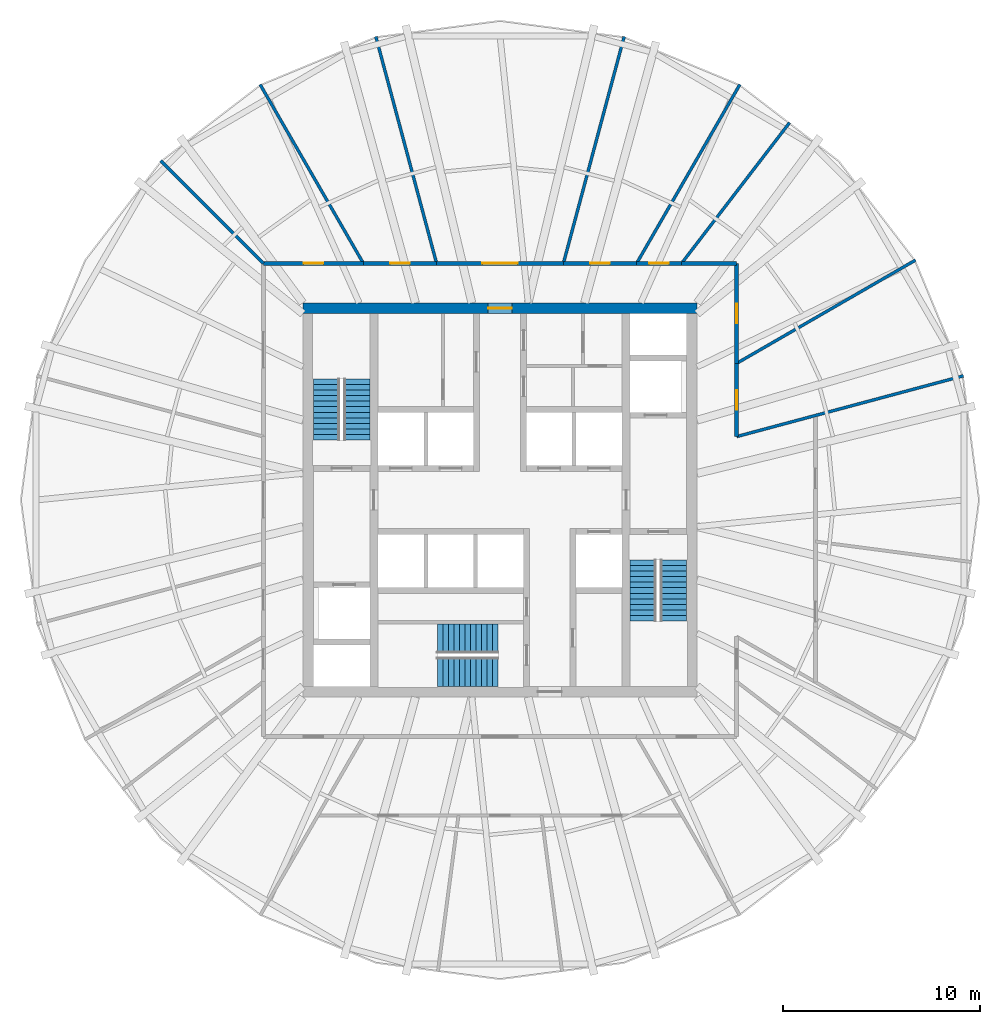
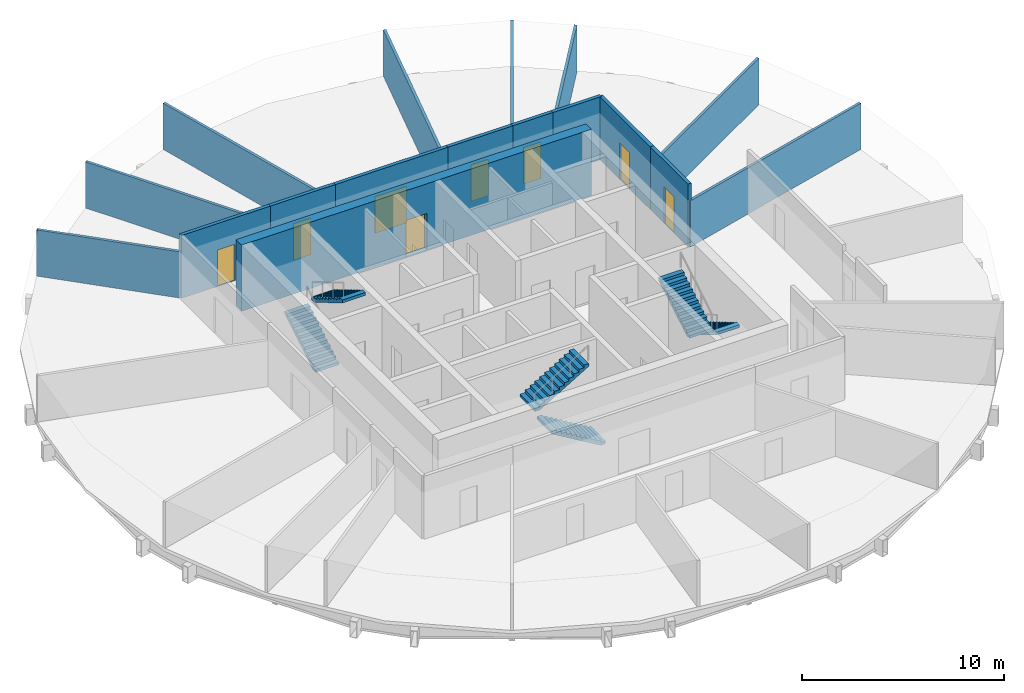
# One storey, part 5 of 6: 17 walls, 8 doors, 6 stair flights, 8 openings, 3 elements without a shape of their own.
"""IFC4 building model written with IfcOpenShell, lengths in metres."""

from ifc_helpers import new_model, si_unit, direction, frame, frame_2d, origin, place, context, subcontext, project, spatial, polyline, rectangle, outline, extrude, material, layer, layer_set, type_object, element, fill, aggregate, save


model = new_model("IFC4")

# Units and contexts
model_context = context("Model", 3, precision=1e-05, world=origin(), true_north=direction((0.0, 1.0)))
body_context = subcontext(model_context, "Body", "Model", "MODEL_VIEW")
ifc_project = project(units=[si_unit("LENGTHUNIT", "METRE"), si_unit("AREAUNIT", "SQUARE_METRE"), si_unit("VOLUMEUNIT", "CUBIC_METRE"), si_unit("PLANEANGLEUNIT", "RADIAN"), si_unit("MASSUNIT", "GRAM", prefix="KILO")], contexts=[model_context])

# Site, building, storey
site_placement = place(None, origin())
site = spatial("IfcSite", under=ifc_project, at=site_placement, CompositionType="ELEMENT")
building_placement = place(site_placement, origin())
building = spatial("IfcBuilding", under=site, at=building_placement, Name="Golbaran Civic Tower", CompositionType="ELEMENT")
storey_placement = place(building_placement, frame((0.0, 0.0, 138.0)))
storey = spatial("IfcBuildingStorey", under=building, at=storey_placement, Name="L33", CompositionType="ELEMENT", Elevation=138.0)

# Wall, opening, door
ifc_material_1 = material(Name="Concrete C50/60", Category="concrete")
ifc_layer_1 = layer(ifc_material_1, 0.550048828125, Name="Concrete C50/60")
ifc_layer_set_1 = layer_set([ifc_layer_1], Name="Concrete C50/60")
wall_type_1 = type_object("IfcWallType", Name="CORE WALL CONCRETE 550", PredefinedType="SOLIDWALL", material=ifc_layer_set_1)
wall_1_placement = place(storey_placement, frame((-10.0, 9.72509765625, 0.0), z_axis=(0.0, 0.0, 1.0), x_axis=(1.0, 0.0, 0.0)))
wall_1 = element("IfcWall", 1, at=wall_1_placement, inside=storey, type_object=wall_type_1, Name="Core wall CN L33", PredefinedType="SOLIDWALL", context=body_context, shape_type="SweptSolid", body=[
    extrude(rectangle(XDim=20.0, YDim=0.550048828125, at=frame_2d((10.0, 0.0))), origin(), (0.0, 0.0, 1.0), 4.0),
])
opening_1_placement = place(wall_1_placement, frame((9.39990234375, 0.0, 0.0)))
opening_1 = element("IfcOpeningElement", 2, at=opening_1_placement, cuts=wall_1, Name="Opening L33.CN", PredefinedType="OPENING", context=body_context, shape_type="SweptSolid", body=[
    extrude(rectangle(XDim=1.199951171875, YDim=2.199951171875, at=frame_2d((0.60009765625, 1.10009765625))), frame((0.0, 0.284912109375, 0.0), z_axis=(0.0, -1.0, 0.0), x_axis=(1.0, 0.0, 0.0)), (0.0, 0.0, 1.0), 0.570068359375),
])
ifc_material_2 = material(Name="Timber door set in steel frame", Category="steel")
door_type_1 = type_object("IfcDoorType", Name="CORE DOOR 1200x2200", OperationType="DOUBLE_DOOR_SINGLE_SWING", PredefinedType="DOOR", material=ifc_material_2)
door_1_placement = place(opening_1_placement, origin())
door_1 = element("IfcDoor", 3, at=door_1_placement, inside=storey, type_object=door_type_1, Name="Core door north", OperationType="DOUBLE_DOOR_SINGLE_SWING", OverallHeight=2.199951171875, OverallWidth=1.199951171875, PredefinedType="DOOR", context=body_context, shape_type="SweptSolid", body=[
    extrude(rectangle(XDim=1.199951171875, YDim=2.199951171875, at=frame_2d((0.60009765625, 1.10009765625))), frame((0.0, 0.02490234375, 0.0), z_axis=(0.0, -1.0, 0.0), x_axis=(1.0, 0.0, 0.0)), (0.0, 0.0, 1.0), 0.050048828125),
])
fill(opening_1, door_1)

ifc_material_3 = material(Name="Gypsum board on steel studs, fire-rated", Category="steel")
ifc_layer_2 = layer(ifc_material_3, 0.199951171875, Name="Gypsum board on steel studs, fire-rated")
ifc_layer_set_2 = layer_set([ifc_layer_2], Name="Gypsum board on steel studs, fire-rated")
wall_type_2 = type_object("IfcWallType", Name="CORRIDOR WALL 200", PredefinedType="PARTITIONING", material=ifc_layer_set_2)
wall_2_placement = place(storey_placement, frame((12.0, 3.21533203125, 0.0), z_axis=(0.0, 0.0, 1.0), x_axis=(0.0, 1.0, 0.0)))
wall_2 = element("IfcWall", 4, at=wall_2_placement, inside=storey, type_object=wall_type_2, Name="Corridor wall L33", PredefinedType="PARTITIONING", context=body_context, shape_type="SweptSolid", body=[
    extrude(rectangle(XDim=3.712890625, YDim=0.199951171875, at=frame_2d((1.8564453125, 0.0))), origin(), (0.0, 0.0, 1.0), 3.800048828125),
])
opening_2_placement = place(wall_2_placement, frame((1.3564453125, 0.0, 0.0)))
opening_2 = element("IfcOpeningElement", 5, at=opening_2_placement, cuts=wall_2, Name="Opening L33.07", PredefinedType="OPENING", context=body_context, shape_type="SweptSolid", body=[
    extrude(rectangle(XDim=1.0, YDim=2.199951171875, at=frame_2d((0.5, 1.10009765625))), frame((0.0, 0.10986328125, 0.0), z_axis=(0.0, -1.0, 0.0), x_axis=(1.0, 0.0, 0.0)), (0.0, 0.0, 1.0), 0.219970703125),
])
door_type_2 = type_object("IfcDoorType", Name="OFFICE DOOR 1000x2200", OperationType="SINGLE_SWING_LEFT", PredefinedType="DOOR", material=ifc_material_2)
door_2_placement = place(opening_2_placement, origin())
door_2 = element("IfcDoor", 6, at=door_2_placement, inside=storey, type_object=door_type_2, Name="Project Room door L33", OperationType="SINGLE_SWING_LEFT", OverallHeight=2.199951171875, OverallWidth=1.0, PredefinedType="DOOR", context=body_context, shape_type="SweptSolid", body=[
    extrude(rectangle(XDim=1.0, YDim=2.199951171875, at=frame_2d((0.5, 1.10009765625))), frame((0.0, 0.02490234375, 0.0), z_axis=(0.0, -1.0, 0.0), x_axis=(1.0, 0.0, 0.0)), (0.0, 0.0, 1.0), 0.050048828125),
])
fill(opening_2, door_2)

wall_3_placement = place(storey_placement, frame((12.0, 6.92822265625, 0.0), z_axis=(0.0, 0.0, 1.0), x_axis=(0.0, 1.0, 0.0)))
wall_3 = element("IfcWall", 7, at=wall_3_placement, inside=storey, type_object=wall_type_2, Name="Corridor wall L33", PredefinedType="PARTITIONING", context=body_context, shape_type="SweptSolid", body=[
    extrude(rectangle(XDim=5.07177734375, YDim=0.199951171875, at=frame_2d((2.535888671875, 0.0))), origin(), (0.0, 0.0, 1.0), 3.800048828125),
])
opening_3_placement = place(wall_3_placement, frame((2.035888671875, 0.0, 0.0)))
opening_3 = element("IfcOpeningElement", 8, at=opening_3_placement, cuts=wall_3, Name="Opening L33.08", PredefinedType="OPENING", context=body_context, shape_type="SweptSolid", body=[
    extrude(rectangle(XDim=1.0, YDim=2.199951171875, at=frame_2d((0.5, 1.10009765625))), frame((0.0, 0.10986328125, 0.0), z_axis=(0.0, -1.0, 0.0), x_axis=(1.0, 0.0, 0.0)), (0.0, 0.0, 1.0), 0.219970703125),
])
door_3_placement = place(opening_3_placement, origin())
door_3 = element("IfcDoor", 9, at=door_3_placement, inside=storey, type_object=door_type_2, Name="Pantry door L33", OperationType="SINGLE_SWING_LEFT", OverallHeight=2.199951171875, OverallWidth=1.0, PredefinedType="DOOR", context=body_context, shape_type="SweptSolid", body=[
    extrude(rectangle(XDim=1.0, YDim=2.199951171875, at=frame_2d((0.5, 1.10009765625))), frame((0.0, 0.02490234375, 0.0), z_axis=(0.0, -1.0, 0.0), x_axis=(1.0, 0.0, 0.0)), (0.0, 0.0, 1.0), 0.050048828125),
])
fill(opening_3, door_3)

# Wall
wall_4_placement = place(storey_placement, frame((12.0, 12.0, 0.0), z_axis=(0.0, 0.0, 1.0), x_axis=(-1.0, 0.0, 0.0)))
element("IfcWall", 10, at=wall_4_placement, inside=storey, type_object=wall_type_2, Name="Corridor wall L33", PredefinedType="PARTITIONING", context=body_context, shape_type="SweptSolid", body=[
    extrude(rectangle(XDim=2.7919921875, YDim=0.199951171875, at=frame_2d((1.39599609375, 0.0))), origin(), (0.0, 0.0, 1.0), 3.800048828125),
])

# Wall, opening, door
wall_5_placement = place(storey_placement, frame((9.2080078125, 12.0, 0.0), z_axis=(0.0, 0.0, 1.0), x_axis=(-1.0, 0.0, 0.0)))
wall_5 = element("IfcWall", 11, at=wall_5_placement, inside=storey, type_object=wall_type_2, Name="Corridor wall L33", PredefinedType="PARTITIONING", context=body_context, shape_type="SweptSolid", body=[
    extrude(rectangle(XDim=2.27978515625, YDim=0.199951171875, at=frame_2d((1.139892578125, 0.0))), origin(), (0.0, 0.0, 1.0), 3.800048828125),
])
opening_4_placement = place(wall_5_placement, frame((0.639892578125, 0.0, 0.0)))
opening_4 = element("IfcOpeningElement", 12, at=opening_4_placement, cuts=wall_5, Name="Opening L33.09", PredefinedType="OPENING", context=body_context, shape_type="SweptSolid", body=[
    extrude(rectangle(XDim=1.0, YDim=2.199951171875, at=frame_2d((0.5, 1.10009765625))), frame((0.0, 0.10986328125, 0.0), z_axis=(0.0, -1.0, 0.0), x_axis=(1.0, 0.0, 0.0)), (0.0, 0.0, 1.0), 0.219970703125),
])
door_4_placement = place(opening_4_placement, origin())
door_4 = element("IfcDoor", 13, at=door_4_placement, inside=storey, type_object=door_type_2, Name="Prayer Room door L33", OperationType="SINGLE_SWING_RIGHT", OverallHeight=2.199951171875, OverallWidth=1.0, PredefinedType="DOOR", context=body_context, shape_type="SweptSolid", body=[
    extrude(rectangle(XDim=1.0, YDim=2.199951171875, at=frame_2d((0.5, 1.10009765625))), frame((0.0, 0.02490234375, 0.0), z_axis=(0.0, -1.0, 0.0), x_axis=(1.0, 0.0, 0.0)), (0.0, 0.0, 1.0), 0.050048828125),
])
fill(opening_4, door_4)

wall_6_placement = place(storey_placement, frame((6.92822265625, 12.0, 0.0), z_axis=(0.0, 0.0, 1.0), x_axis=(-1.0, 0.0, 0.0)))
wall_6 = element("IfcWall", 14, at=wall_6_placement, inside=storey, type_object=wall_type_2, Name="Corridor wall L33", PredefinedType="PARTITIONING", context=body_context, shape_type="SweptSolid", body=[
    extrude(rectangle(XDim=3.712890625, YDim=0.199951171875, at=frame_2d((1.8564453125, 0.0))), origin(), (0.0, 0.0, 1.0), 3.800048828125),
])
opening_5_placement = place(wall_6_placement, frame((1.3564453125, 0.0, 0.0)))
opening_5 = element("IfcOpeningElement", 15, at=opening_5_placement, cuts=wall_6, Name="Opening L33.10", PredefinedType="OPENING", context=body_context, shape_type="SweptSolid", body=[
    extrude(rectangle(XDim=1.0, YDim=2.199951171875, at=frame_2d((0.5, 1.10009765625))), frame((0.0, 0.10986328125, 0.0), z_axis=(0.0, -1.0, 0.0), x_axis=(1.0, 0.0, 0.0)), (0.0, 0.0, 1.0), 0.219970703125),
])
door_5_placement = place(opening_5_placement, origin())
door_5 = element("IfcDoor", 16, at=door_5_placement, inside=storey, type_object=door_type_2, Name="Project Room door L33", OperationType="SINGLE_SWING_RIGHT", OverallHeight=2.199951171875, OverallWidth=1.0, PredefinedType="DOOR", context=body_context, shape_type="SweptSolid", body=[
    extrude(rectangle(XDim=1.0, YDim=2.199951171875, at=frame_2d((0.5, 1.10009765625))), frame((0.0, 0.02490234375, 0.0), z_axis=(0.0, -1.0, 0.0), x_axis=(1.0, 0.0, 0.0)), (0.0, 0.0, 1.0), 0.050048828125),
])
fill(opening_5, door_5)

wall_7_placement = place(storey_placement, frame((3.21533203125, 12.0, 0.0), z_axis=(0.0, 0.0, 1.0), x_axis=(-1.0, 0.0, 0.0)))
wall_7 = element("IfcWall", 17, at=wall_7_placement, inside=storey, type_object=wall_type_2, Name="Corridor wall L33", PredefinedType="PARTITIONING", context=body_context, shape_type="SweptSolid", body=[
    extrude(rectangle(XDim=6.4306640625, YDim=0.199951171875, at=frame_2d((3.21533203125, 0.0))), origin(), (0.0, 0.0, 1.0), 3.800048828125),
])
opening_6_placement = place(wall_7_placement, frame((2.3154296875, 0.0, 0.0)))
opening_6 = element("IfcOpeningElement", 18, at=opening_6_placement, cuts=wall_7, Name="Opening L33.11", PredefinedType="OPENING", context=body_context, shape_type="SweptSolid", body=[
    extrude(rectangle(XDim=1.800048828125, YDim=2.199951171875, at=frame_2d((0.89990234375, 1.10009765625))), frame((0.0, 0.10986328125, 0.0), z_axis=(0.0, -1.0, 0.0), x_axis=(1.0, 0.0, 0.0)), (0.0, 0.0, 1.0), 0.219970703125),
])
door_type_3 = type_object("IfcDoorType", Name="OFFICE DOUBLE DOOR 1800x2200", OperationType="DOUBLE_DOOR_SINGLE_SWING", PredefinedType="DOOR", material=ifc_material_2)
door_6_placement = place(opening_6_placement, origin())
door_6 = element("IfcDoor", 19, at=door_6_placement, inside=storey, type_object=door_type_3, Name="Open Office door L33", OperationType="DOUBLE_DOOR_SINGLE_SWING", OverallHeight=2.199951171875, OverallWidth=1.800048828125, PredefinedType="DOOR", context=body_context, shape_type="SweptSolid", body=[
    extrude(rectangle(XDim=1.800048828125, YDim=2.199951171875, at=frame_2d((0.89990234375, 1.10009765625))), frame((0.0, 0.02490234375, 0.0), z_axis=(0.0, -1.0, 0.0), x_axis=(1.0, 0.0, 0.0)), (0.0, 0.0, 1.0), 0.050048828125),
])
fill(opening_6, door_6)

wall_8_placement = place(storey_placement, frame((-3.21533203125, 12.0, 0.0), z_axis=(0.0, 0.0, 1.0), x_axis=(-1.0, 0.0, 0.0)))
wall_8 = element("IfcWall", 20, at=wall_8_placement, inside=storey, type_object=wall_type_2, Name="Corridor wall L33", PredefinedType="PARTITIONING", context=body_context, shape_type="SweptSolid", body=[
    extrude(rectangle(XDim=3.712890625, YDim=0.199951171875, at=frame_2d((1.8564453125, 0.0))), origin(), (0.0, 0.0, 1.0), 3.800048828125),
])
opening_7_placement = place(wall_8_placement, frame((1.3564453125, 0.0, 0.0)))
opening_7 = element("IfcOpeningElement", 21, at=opening_7_placement, cuts=wall_8, Name="Opening L33.12", PredefinedType="OPENING", context=body_context, shape_type="SweptSolid", body=[
    extrude(rectangle(XDim=1.0, YDim=2.199951171875, at=frame_2d((0.5, 1.10009765625))), frame((0.0, 0.10986328125, 0.0), z_axis=(0.0, -1.0, 0.0), x_axis=(1.0, 0.0, 0.0)), (0.0, 0.0, 1.0), 0.219970703125),
])
door_7_placement = place(opening_7_placement, origin())
door_7 = element("IfcDoor", 22, at=door_7_placement, inside=storey, type_object=door_type_2, Name="Meeting Room door L33", OperationType="SINGLE_SWING_RIGHT", OverallHeight=2.199951171875, OverallWidth=1.0, PredefinedType="DOOR", context=body_context, shape_type="SweptSolid", body=[
    extrude(rectangle(XDim=1.0, YDim=2.199951171875, at=frame_2d((0.5, 1.10009765625))), frame((0.0, 0.02490234375, 0.0), z_axis=(0.0, -1.0, 0.0), x_axis=(1.0, 0.0, 0.0)), (0.0, 0.0, 1.0), 0.050048828125),
])
fill(opening_7, door_7)

wall_9_placement = place(storey_placement, frame((-6.92822265625, 12.0, 0.0), z_axis=(0.0, 0.0, 1.0), x_axis=(-1.0, 0.0, 0.0)))
wall_9 = element("IfcWall", 23, at=wall_9_placement, inside=storey, type_object=wall_type_2, Name="Corridor wall L33", PredefinedType="PARTITIONING", context=body_context, shape_type="SweptSolid", body=[
    extrude(rectangle(XDim=5.07177734375, YDim=0.199951171875, at=frame_2d((2.535888671875, 0.0))), origin(), (0.0, 0.0, 1.0), 3.800048828125),
])
opening_8_placement = place(wall_9_placement, frame((2.035888671875, 0.0, 0.0)))
opening_8 = element("IfcOpeningElement", 24, at=opening_8_placement, cuts=wall_9, Name="Opening L33.13", PredefinedType="OPENING", context=body_context, shape_type="SweptSolid", body=[
    extrude(rectangle(XDim=1.0, YDim=2.199951171875, at=frame_2d((0.5, 1.10009765625))), frame((0.0, 0.10986328125, 0.0), z_axis=(0.0, -1.0, 0.0), x_axis=(1.0, 0.0, 0.0)), (0.0, 0.0, 1.0), 0.219970703125),
])
door_8_placement = place(opening_8_placement, origin())
door_8 = element("IfcDoor", 25, at=door_8_placement, inside=storey, type_object=door_type_2, Name="Prayer Room door L33", OperationType="SINGLE_SWING_RIGHT", OverallHeight=2.199951171875, OverallWidth=1.0, PredefinedType="DOOR", context=body_context, shape_type="SweptSolid", body=[
    extrude(rectangle(XDim=1.0, YDim=2.199951171875, at=frame_2d((0.5, 1.10009765625))), frame((0.0, 0.02490234375, 0.0), z_axis=(0.0, -1.0, 0.0), x_axis=(1.0, 0.0, 0.0)), (0.0, 0.0, 1.0), 0.050048828125),
])
fill(opening_8, door_8)

# Walls
ifc_material_4 = material(Name="Gypsum board on steel studs", Category="steel")
ifc_layer_3 = layer(ifc_material_4, 0.14990234375, Name="Gypsum board on steel studs")
ifc_layer_set_3 = layer_set([ifc_layer_3], Name="Gypsum board on steel studs")
wall_type_3 = type_object("IfcWallType", Name="OFFICE PARTITION 150", PredefinedType="PARTITIONING", material=ifc_layer_set_3)
wall_10_placement = place(storey_placement, frame((12.0, 3.21533203125, 0.0), z_axis=(0.0, 0.0, 1.0), x_axis=(0.965926367889, 0.258817023816, 0.0)))
element("IfcWall", 26, at=wall_10_placement, inside=storey, type_object=wall_type_3, Name="Partition 15 L33", PredefinedType="PARTITIONING", context=body_context, shape_type="SweptSolid", body=[
    extrude(rectangle(XDim=11.910888671875, YDim=0.14990234375, at=frame_2d((5.95556640625, 0.0))), origin(), (0.0, 0.0, 1.0), 2.7900390625),
])
wall_11_placement = place(storey_placement, frame((12.0, 6.92822265625, 0.0), z_axis=(0.0, 0.0, 1.0), x_axis=(0.866029212144, 0.49999340367, 0.0)))
element("IfcWall", 27, at=wall_11_placement, inside=storey, type_object=wall_type_3, Name="Partition 30 L33", PredefinedType="PARTITIONING", context=body_context, shape_type="SweptSolid", body=[
    extrude(rectangle(XDim=10.477783203125, YDim=0.14990234375, at=frame_2d((5.23876953125, 0.0))), origin(), (0.0, 0.0, 1.0), 2.7900390625),
])
wall_12_placement = place(storey_placement, frame((9.2080078125, 12.0, 0.0), z_axis=(0.0, 0.0, 1.0), x_axis=(0.608761217002, 0.79335350297, 0.0)))
element("IfcWall", 28, at=wall_12_placement, inside=storey, type_object=wall_type_3, Name="Partition 52.5 L33", PredefinedType="PARTITIONING", context=body_context, shape_type="SweptSolid", body=[
    extrude(rectangle(XDim=9.000244140625, YDim=0.14990234375, at=frame_2d((4.5, 0.0))), origin(), (0.0, 0.0, 1.0), 2.7900390625),
])
wall_13_placement = place(storey_placement, frame((6.92822265625, 12.0, 0.0), z_axis=(0.0, 0.0, 1.0), x_axis=(0.49999340367, 0.866029212144, 0.0)))
element("IfcWall", 29, at=wall_13_placement, inside=storey, type_object=wall_type_3, Name="Partition 60 L33", PredefinedType="PARTITIONING", context=body_context, shape_type="SweptSolid", body=[
    extrude(rectangle(XDim=10.477783203125, YDim=0.14990234375, at=frame_2d((5.23876953125, 0.0))), origin(), (0.0, 0.0, 1.0), 2.7900390625),
])
for number, where, z_axis, x_axis, name in (
    (30, (3.21533203125, 12.0, 0.0), (0.0, 0.0, 1.0), (0.258817023816, 0.965926367889, 0.0), "Partition 75 L33"),
    (31, (-3.21533203125, 12.0, 0.0), (0.0, 0.0, 1.0), (-0.258817023816, 0.965926367889, 0.0), "Partition 105 L33"),
):
    element("IfcWall", number, at=place(storey_placement, frame(where, z_axis=z_axis, x_axis=x_axis)), inside=storey, type_object=wall_type_3, Name=name, PredefinedType="PARTITIONING", context=body_context, shape_type="SweptSolid", body=[
        extrude(rectangle(XDim=11.910888671875, YDim=0.14990234375, at=frame_2d((5.95556640625, 0.0))), origin(), (0.0, 0.0, 1.0), 2.7900390625),
    ])
wall_14_placement = place(storey_placement, frame((-6.92822265625, 12.0, 0.0), z_axis=(0.0, 0.0, 1.0), x_axis=(-0.49999340367, 0.866029212144, 0.0)))
element("IfcWall", 32, at=wall_14_placement, inside=storey, type_object=wall_type_3, Name="Partition 120 L33", PredefinedType="PARTITIONING", context=body_context, shape_type="SweptSolid", body=[
    extrude(rectangle(XDim=10.477783203125, YDim=0.14990234375, at=frame_2d((5.23876953125, 0.0))), origin(), (0.0, 0.0, 1.0), 2.7900390625),
])
wall_15_placement = place(storey_placement, frame((-12.0, 12.0, 0.0), z_axis=(0.0, 0.0, 1.0), x_axis=(-0.707106781187, 0.707106781187, 0.0)))
element("IfcWall", 33, at=wall_15_placement, inside=storey, type_object=wall_type_3, Name="Partition 135 L33", PredefinedType="PARTITIONING", context=body_context, shape_type="SweptSolid", body=[
    extrude(rectangle(XDim=7.363525390625, YDim=0.14990234375, at=frame_2d((3.681640625, 0.0))), origin(), (0.0, 0.0, 1.0), 2.7900390625),
])

# Stair, stair flights
ifc_material_5 = material(Name="Concrete C35/45", Category="concrete")
stair_type_1 = type_object("IfcStairType", Name="EXIT STAIR 2850 x 7700, 4000 RISE", PredefinedType="HALF_TURN_STAIR", material=ifc_material_5)
stair_1_placement = place(storey_placement, origin())
stair_1 = element("IfcStair", 34, at=stair_1_placement, inside=storey, type_object=stair_type_1, Name="Stair S1 L33", PredefinedType="HALF_TURN_STAIR")
stair_flight_type_1 = type_object("IfcStairFlightType", Name="STAIR FLIGHT 1325 WIDE", PredefinedType="STRAIGHT", material=ifc_material_5)
stair_flight_1_placement = place(storey_placement, frame((-8.78759765625, 3.050048828125, 0.0), z_axis=(0.0, 0.0, 1.0), x_axis=(0.0, 1.0, 0.0)))
stair_flight_1 = element("IfcStairFlight", 35, at=stair_flight_1_placement, type_object=stair_flight_type_1, Name="ST28577-40 flight 1", NumberOfRisers=12, NumberOfTreads=11, PredefinedType="STRAIGHT", RiserHeight=0.166666667, TreadLength=0.28, context=body_context, shape_type="SweptSolid", body=[
    extrude(outline(polyline([(0.0, 0.0), (0.0, 0.166748046875), (0.280029296875, 0.166748046875), (0.280029296875, 0.333251953125), (0.56005859375, 0.333251953125), (0.56005859375, 0.5), (0.840087890625, 0.5), (0.840087890625, 0.666748046875), (1.1201171875, 0.666748046875), (1.1201171875, 0.833251953125), (1.39990234375, 0.833251953125), (1.39990234375, 1.0), (1.679931640625, 1.0), (1.679931640625, 1.166748046875), (1.9599609375, 1.166748046875), (1.9599609375, 1.333251953125), (2.239990234375, 1.333251953125), (2.239990234375, 1.5), (2.52001953125, 1.5), (2.52001953125, 1.666748046875), (2.800048828125, 1.666748046875), (2.800048828125, 1.833251953125), (3.080078125, 1.833251953125), (3.080078125, 2.0), (3.080078125, 1.658935546875), (0.29296875, 0.0), (0.0, 0.0)])), frame((0.0, 0.66259765625, 0.0), z_axis=(0.0, -1.0, 0.0), x_axis=(1.0, 0.0, 0.0)), (0.0, 0.0, 1.0), 1.324951171875),
])
stair_flight_2_placement = place(storey_placement, frame((-7.262451171875, 6.1298828125, 2.0), z_axis=(0.0, 0.0, 1.0), x_axis=(0.0, -1.0, 0.0)))
stair_flight_2 = element("IfcStairFlight", 36, at=stair_flight_2_placement, type_object=stair_flight_type_1, Name="ST28577-40 flight 2", NumberOfRisers=12, NumberOfTreads=11, PredefinedType="STRAIGHT", RiserHeight=0.166666667, TreadLength=0.28, context=body_context, shape_type="SweptSolid", body=[
    extrude(outline(polyline([(0.0, 0.0), (0.0, 0.166748046875), (0.280029296875, 0.166748046875), (0.280029296875, 0.333251953125), (0.56005859375, 0.333251953125), (0.56005859375, 0.5), (0.840087890625, 0.5), (0.840087890625, 0.666748046875), (1.1201171875, 0.666748046875), (1.1201171875, 0.833251953125), (1.39990234375, 0.833251953125), (1.39990234375, 1.0), (1.679931640625, 1.0), (1.679931640625, 1.166748046875), (1.9599609375, 1.166748046875), (1.9599609375, 1.333251953125), (2.239990234375, 1.333251953125), (2.239990234375, 1.5), (2.52001953125, 1.5), (2.52001953125, 1.666748046875), (2.800048828125, 1.666748046875), (2.800048828125, 1.833251953125), (3.080078125, 1.833251953125), (3.080078125, 2.0), (3.080078125, 1.658935546875), (0.29296875, 0.0), (0.0, 0.0)])), frame((0.0, 0.66259765625, 0.0), z_axis=(0.0, -1.0, 0.0), x_axis=(1.0, 0.0, 0.0)), (0.0, 0.0, 1.0), 1.324951171875),
])
aggregate(stair_1, [stair_flight_1, stair_flight_2])

stair_2_placement = place(storey_placement, origin())
stair_2 = element("IfcStair", 37, at=stair_2_placement, inside=storey, type_object=stair_type_1, Name="Stair S2 L33", PredefinedType="HALF_TURN_STAIR")
stair_flight_3_placement = place(storey_placement, frame((8.78759765625, -3.050048828125, 0.0), z_axis=(0.0, 0.0, 1.0), x_axis=(0.0, -1.0, 0.0)))
stair_flight_3 = element("IfcStairFlight", 38, at=stair_flight_3_placement, type_object=stair_flight_type_1, Name="ST28577-40 flight 1", NumberOfRisers=12, NumberOfTreads=11, PredefinedType="STRAIGHT", RiserHeight=0.166666667, TreadLength=0.28, context=body_context, shape_type="SweptSolid", body=[
    extrude(outline(polyline([(0.0, 0.0), (0.0, 0.166748046875), (0.280029296875, 0.166748046875), (0.280029296875, 0.333251953125), (0.56005859375, 0.333251953125), (0.56005859375, 0.5), (0.840087890625, 0.5), (0.840087890625, 0.666748046875), (1.1201171875, 0.666748046875), (1.1201171875, 0.833251953125), (1.39990234375, 0.833251953125), (1.39990234375, 1.0), (1.679931640625, 1.0), (1.679931640625, 1.166748046875), (1.9599609375, 1.166748046875), (1.9599609375, 1.333251953125), (2.239990234375, 1.333251953125), (2.239990234375, 1.5), (2.52001953125, 1.5), (2.52001953125, 1.666748046875), (2.800048828125, 1.666748046875), (2.800048828125, 1.833251953125), (3.080078125, 1.833251953125), (3.080078125, 2.0), (3.080078125, 1.658935546875), (0.29296875, 0.0), (0.0, 0.0)])), frame((0.0, 0.66259765625, 0.0), z_axis=(0.0, -1.0, 0.0), x_axis=(1.0, 0.0, 0.0)), (0.0, 0.0, 1.0), 1.324951171875),
])
stair_flight_4_placement = place(storey_placement, frame((7.262451171875, -6.1298828125, 2.0), z_axis=(0.0, 0.0, 1.0), x_axis=(0.0, 1.0, 0.0)))
stair_flight_4 = element("IfcStairFlight", 39, at=stair_flight_4_placement, type_object=stair_flight_type_1, Name="ST28577-40 flight 2", NumberOfRisers=12, NumberOfTreads=11, PredefinedType="STRAIGHT", RiserHeight=0.166666667, TreadLength=0.28, context=body_context, shape_type="SweptSolid", body=[
    extrude(outline(polyline([(0.0, 0.0), (0.0, 0.166748046875), (0.280029296875, 0.166748046875), (0.280029296875, 0.333251953125), (0.56005859375, 0.333251953125), (0.56005859375, 0.5), (0.840087890625, 0.5), (0.840087890625, 0.666748046875), (1.1201171875, 0.666748046875), (1.1201171875, 0.833251953125), (1.39990234375, 0.833251953125), (1.39990234375, 1.0), (1.679931640625, 1.0), (1.679931640625, 1.166748046875), (1.9599609375, 1.166748046875), (1.9599609375, 1.333251953125), (2.239990234375, 1.333251953125), (2.239990234375, 1.5), (2.52001953125, 1.5), (2.52001953125, 1.666748046875), (2.800048828125, 1.666748046875), (2.800048828125, 1.833251953125), (3.080078125, 1.833251953125), (3.080078125, 2.0), (3.080078125, 1.658935546875), (0.29296875, 0.0), (0.0, 0.0)])), frame((0.0, 0.66259765625, 0.0), z_axis=(0.0, -1.0, 0.0), x_axis=(1.0, 0.0, 0.0)), (0.0, 0.0, 1.0), 1.324951171875),
])
aggregate(stair_2, [stair_flight_3, stair_flight_4])

stair_type_2 = type_object("IfcStairType", Name="EXIT STAIR 3150 x 7400, 4000 RISE", PredefinedType="HALF_TURN_STAIR", material=ifc_material_5)
stair_3_placement = place(storey_placement, origin())
stair_3 = element("IfcStair", 40, at=stair_3_placement, inside=storey, type_object=stair_type_2, Name="Stair S3 L33", PredefinedType="HALF_TURN_STAIR")
stair_flight_type_2 = type_object("IfcStairFlightType", Name="STAIR FLIGHT 1475 WIDE", PredefinedType="STRAIGHT", material=ifc_material_5)
stair_flight_5_placement = place(storey_placement, frame((-0.10009765625, -8.71240234375, 0.0), z_axis=(0.0, 0.0, 1.0), x_axis=(-1.0, 0.0, 0.0)))
stair_flight_5 = element("IfcStairFlight", 41, at=stair_flight_5_placement, type_object=stair_flight_type_2, Name="ST31574-40 flight 1", NumberOfRisers=12, NumberOfTreads=11, PredefinedType="STRAIGHT", RiserHeight=0.166666667, TreadLength=0.28, context=body_context, shape_type="SweptSolid", body=[
    extrude(outline(polyline([(0.0, 0.0), (0.0, 0.166748046875), (0.280029296875, 0.166748046875), (0.280029296875, 0.333251953125), (0.56005859375, 0.333251953125), (0.56005859375, 0.5), (0.840087890625, 0.5), (0.840087890625, 0.666748046875), (1.1201171875, 0.666748046875), (1.1201171875, 0.833251953125), (1.39990234375, 0.833251953125), (1.39990234375, 1.0), (1.679931640625, 1.0), (1.679931640625, 1.166748046875), (1.9599609375, 1.166748046875), (1.9599609375, 1.333251953125), (2.239990234375, 1.333251953125), (2.239990234375, 1.5), (2.52001953125, 1.5), (2.52001953125, 1.666748046875), (2.800048828125, 1.666748046875), (2.800048828125, 1.833251953125), (3.080078125, 1.833251953125), (3.080078125, 2.0), (3.080078125, 1.658935546875), (0.29296875, 0.0), (0.0, 0.0)])), frame((0.0, 0.737548828125, 0.0), z_axis=(0.0, -1.0, 0.0), x_axis=(1.0, 0.0, 0.0)), (0.0, 0.0, 1.0), 1.47509765625),
])
stair_flight_6_placement = place(storey_placement, frame((-3.179931640625, -7.03759765625, 2.0), z_axis=(0.0, 0.0, 1.0), x_axis=(1.0, 0.0, 0.0)))
stair_flight_6 = element("IfcStairFlight", 42, at=stair_flight_6_placement, type_object=stair_flight_type_2, Name="ST31574-40 flight 2", NumberOfRisers=12, NumberOfTreads=11, PredefinedType="STRAIGHT", RiserHeight=0.166666667, TreadLength=0.28, context=body_context, shape_type="SweptSolid", body=[
    extrude(outline(polyline([(0.0, 0.0), (0.0, 0.166748046875), (0.280029296875, 0.166748046875), (0.280029296875, 0.333251953125), (0.56005859375, 0.333251953125), (0.56005859375, 0.5), (0.840087890625, 0.5), (0.840087890625, 0.666748046875), (1.1201171875, 0.666748046875), (1.1201171875, 0.833251953125), (1.39990234375, 0.833251953125), (1.39990234375, 1.0), (1.679931640625, 1.0), (1.679931640625, 1.166748046875), (1.9599609375, 1.166748046875), (1.9599609375, 1.333251953125), (2.239990234375, 1.333251953125), (2.239990234375, 1.5), (2.52001953125, 1.5), (2.52001953125, 1.666748046875), (2.800048828125, 1.666748046875), (2.800048828125, 1.833251953125), (3.080078125, 1.833251953125), (3.080078125, 2.0), (3.080078125, 1.658935546875), (0.29296875, 0.0), (0.0, 0.0)])), frame((0.0, 0.737548828125, 0.0), z_axis=(0.0, -1.0, 0.0), x_axis=(1.0, 0.0, 0.0)), (0.0, 0.0, 1.0), 1.47509765625),
])
aggregate(stair_3, [stair_flight_5, stair_flight_6])

save(model, "model.ifc")
